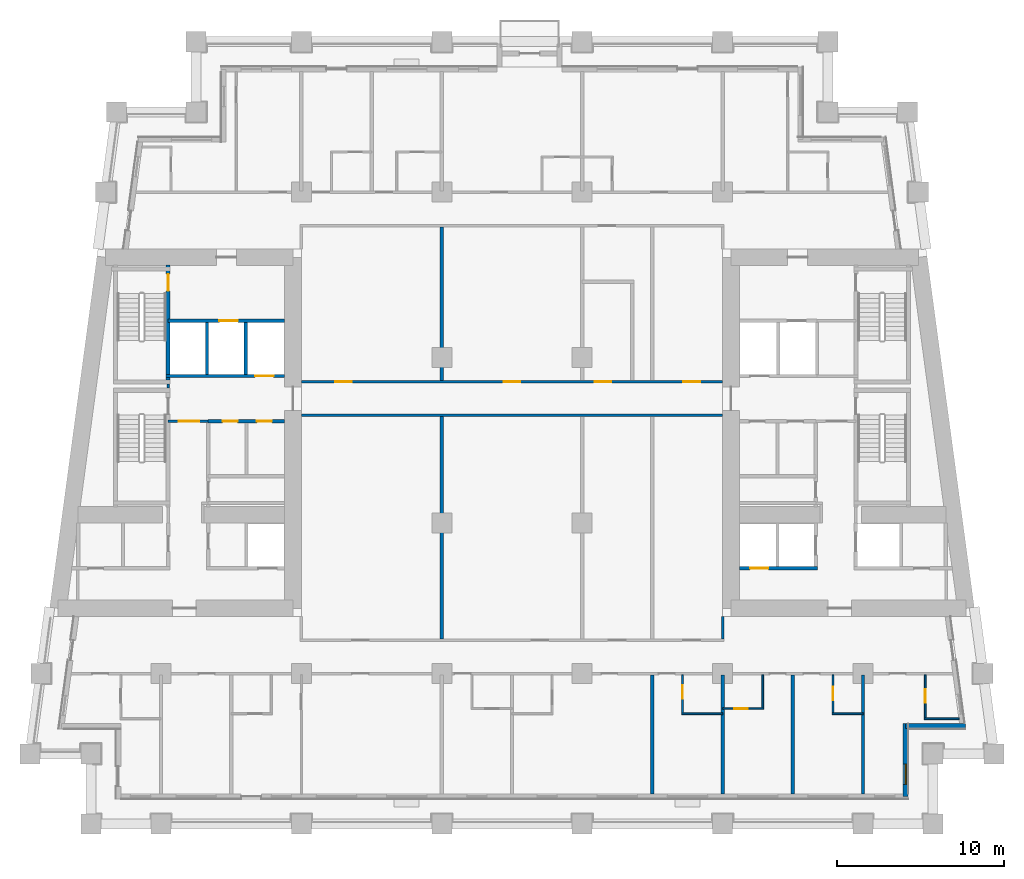
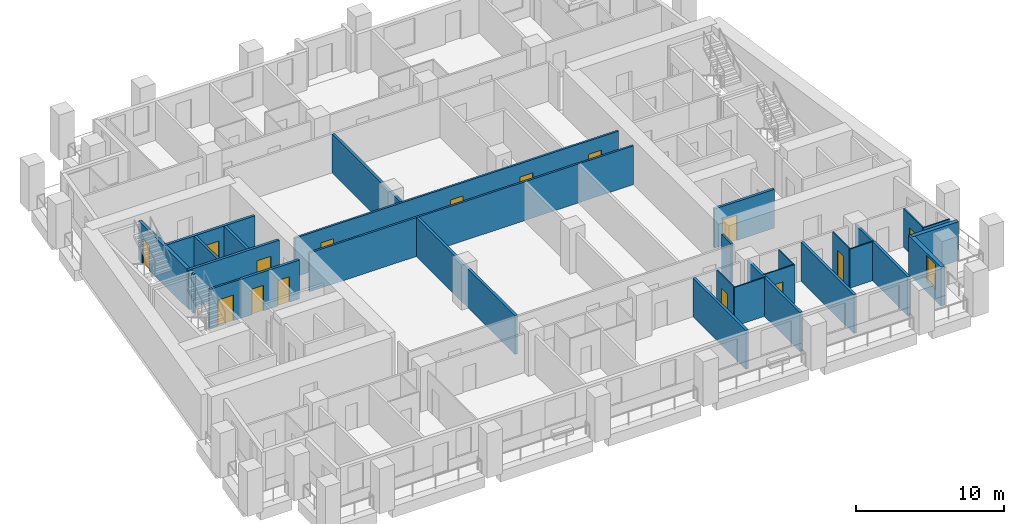
# One storey, part 4 of 13: 28 walls, 15 doors, 1 window, 16 openings.
"""IFC4 building model written with IfcOpenShell, lengths in metres."""

from ifc_helpers import new_model, si_unit, direction, frame, frame_2d, origin, place, context, subcontext, project, spatial, rectangle, extrude, material, layer, layer_set, type_object, element, fill, save


model = new_model("IFC4")

# Units and contexts
model_context = context("Model", 3, precision=1e-05, world=origin(), true_north=direction((0.0, 1.0)))
body_context = subcontext(model_context, "Body", "Model", "MODEL_VIEW")
ifc_project = project(units=[si_unit("LENGTHUNIT", "METRE"), si_unit("AREAUNIT", "SQUARE_METRE"), si_unit("VOLUMEUNIT", "CUBIC_METRE"), si_unit("PLANEANGLEUNIT", "RADIAN"), si_unit("MASSUNIT", "GRAM", prefix="KILO")], contexts=[model_context])

# Site, building, storey
site_placement = place(None, origin())
site = spatial("IfcSite", under=ifc_project, at=site_placement, CompositionType="ELEMENT")
building_placement = place(site_placement, origin())
building = spatial("IfcBuilding", under=site, at=building_placement, Name="Candeia Pilgrim Tower and Theatre", CompositionType="ELEMENT")
storey_placement = place(building_placement, frame((0.0, 0.0, 131.699951171875)))
storey = spatial("IfcBuildingStorey", under=building, at=storey_placement, Name="L31", CompositionType="ELEMENT", Elevation=131.699951171875)

# Wall, opening, window
ifc_material_1 = material(Name="Ceramic block masonry", Category="masonry")
ifc_layer_1 = layer(ifc_material_1, 0.300048828125)
ifc_layer_set_1 = layer_set([ifc_layer_1], Name="EW1 glazing-line wall 300")
wall_type_1 = type_object("IfcWallType", Name="EW1 glazing-line wall 300", PredefinedType="SOLIDWALL", material=ifc_layer_set_1)
wall_1_placement = place(storey_placement, frame((136.949951171875, 99.64990234375, 0.0), z_axis=(0.0, 0.0, 1.0), x_axis=(0.0, 1.0, 0.0)))
wall_1 = element("IfcWall", 1, at=wall_1_placement, inside=storey, type_object=wall_type_1, Name="External wall L31-1.0", PredefinedType="SOLIDWALL", context=body_context, shape_type="SweptSolid", body=[
    extrude(rectangle(XDim=4.35009765625, YDim=0.300048828125, at=frame_2d((2.175048828125, 0.0))), origin(), (0.0, 0.0, 1.0), 3.199951171875),
])
opening_1_placement = place(wall_1_placement, frame((0.72509765625, 0.0, 0.89990234375)))
opening_1 = element("IfcOpeningElement", 2, at=opening_1_placement, cuts=wall_1, Name="Opening W-B", PredefinedType="OPENING", context=body_context, shape_type="SweptSolid", body=[
    extrude(rectangle(XDim=1.199951171875, YDim=2.10009765625, at=frame_2d((0.60009765625, 1.050048828125))), frame((0.0, 0.16015625, 0.0), z_axis=(0.0, -1.0, 0.0), x_axis=(1.0, 0.0, 0.0)), (0.0, 0.0, 1.0), 0.320068359375),
])
ifc_material_2 = material(Name="Aluminium framed double glazing", Category="aluminium")
window_type = type_object("IfcWindowType", Name="W-B window 1200x2100", PartitioningType="SINGLE_PANEL", PredefinedType="WINDOW", material=ifc_material_2)
window_placement = place(opening_1_placement, origin())
window = element("IfcWindow", 3, at=window_placement, inside=storey, type_object=window_type, Name="Window W-B L31", OverallHeight=2.10009765625, OverallWidth=1.199951171875, PartitioningType="SINGLE_PANEL", PredefinedType="WINDOW", context=body_context, shape_type="SweptSolid", body=[
    extrude(rectangle(XDim=1.199951171875, YDim=2.10009765625, at=frame_2d((0.60009765625, 1.050048828125))), frame((0.0, 0.030029296875, 0.0), z_axis=(0.0, -1.0, 0.0), x_axis=(1.0, 0.0, 0.0)), (0.0, 0.0, 1.0), 0.06005859375),
])
fill(opening_1, window)

# Walls
wall_2_placement = place(storey_placement, frame((136.949951171875, 103.85009765625, 0.0), z_axis=(0.0, 0.0, 1.0), x_axis=(1.0, 0.0, 0.0)))
element("IfcWall", 4, at=wall_2_placement, inside=storey, type_object=wall_type_1, Name="External wall L31-2.0", PredefinedType="SOLIDWALL", context=body_context, shape_type="SweptSolid", body=[
    extrude(rectangle(XDim=3.569091796875, YDim=0.300048828125, at=frame_2d((1.78466796875, 0.0))), origin(), (0.0, 0.0, 1.0), 3.199951171875),
])
ifc_material_3 = material(Name="Gypsum board partition on steel studs", Category="steel")
ifc_layer_2 = layer(ifc_material_3, 0.10009765625)
ifc_layer_set_2 = layer_set([ifc_layer_2], Name="PW-100 room partition")
wall_type_2 = type_object("IfcWallType", Name="PW-100 room partition", PredefinedType="PARTITIONING", material=ifc_layer_set_2)
wall_3_placement = place(storey_placement, frame((138.070068359375, 104.300048828125, 0.0), z_axis=(0.0, 0.0, 1.0), x_axis=(1.0, 0.0, 0.0)))
element("IfcWall", 5, at=wall_3_placement, inside=storey, type_object=wall_type_2, Name="Room partition L31-002", PredefinedType="PARTITIONING", context=body_context, shape_type="SweptSolid", body=[
    extrude(rectangle(XDim=2.07568359375, YDim=0.10009765625, at=frame_2d((1.037841796875, 0.0))), origin(), (0.0, 0.0, 1.0), 3.199951171875),
])
wall_4_placement = place(storey_placement, frame((123.550048828125, 104.60009765625, 0.0), z_axis=(0.0, 0.0, 1.0), x_axis=(1.0, 0.0, 0.0)))
element("IfcWall", 6, at=wall_4_placement, inside=storey, type_object=wall_type_2, Name="Room partition L31-005", PredefinedType="PARTITIONING", context=body_context, shape_type="SweptSolid", body=[
    extrude(rectangle(XDim=2.449951171875, YDim=0.10009765625, at=frame_2d((1.22509765625, 0.0))), origin(), (0.0, 0.0, 1.0), 3.199951171875),
])
wall_5_placement = place(storey_placement, frame((132.550048828125, 104.60009765625, 0.0), z_axis=(0.0, 0.0, 1.0), x_axis=(1.0, 0.0, 0.0)))
element("IfcWall", 7, at=wall_5_placement, inside=storey, type_object=wall_type_2, Name="Room partition L31-006", PredefinedType="PARTITIONING", context=body_context, shape_type="SweptSolid", body=[
    extrude(rectangle(XDim=1.849853515625, YDim=0.10009765625, at=frame_2d((0.9248046875, 0.0))), origin(), (0.0, 0.0, 1.0), 3.199951171875),
])

# Wall, opening, door
wall_6_placement = place(storey_placement, frame((126.0, 104.89990234375, 0.0), z_axis=(0.0, 0.0, 1.0), x_axis=(1.0, 0.0, 0.0)))
wall_6 = element("IfcWall", 8, at=wall_6_placement, inside=storey, type_object=wall_type_2, Name="Room partition L31-008", PredefinedType="PARTITIONING", context=body_context, shape_type="SweptSolid", body=[
    extrude(rectangle(XDim=2.449951171875, YDim=0.10009765625, at=frame_2d((1.22509765625, 0.0))), origin(), (0.0, 0.0, 1.0), 3.199951171875),
])
opening_2_placement = place(wall_6_placement, frame((0.7099609375, 0.0, 0.0)))
opening_2 = element("IfcOpeningElement", 9, at=opening_2_placement, cuts=wall_6, Name="Opening L31-D030", PredefinedType="OPENING", context=body_context, shape_type="SweptSolid", body=[
    extrude(rectangle(XDim=0.800048828125, YDim=2.10009765625, at=frame_2d((0.39990234375, 1.050048828125))), frame((0.0, 0.06005859375, 0.0), z_axis=(0.0, -1.0, 0.0), x_axis=(1.0, 0.0, 0.0)), (0.0, 0.0, 1.0), 0.1201171875),
])
ifc_material_4 = material(Name="Timber door leaf", Category="wood")
door_type_1 = type_object("IfcDoorType", Name="D-800", OperationType="NOTDEFINED", PredefinedType="DOOR", material=ifc_material_4)
door_1_placement = place(opening_2_placement, origin())
door_1 = element("IfcDoor", 10, at=door_1_placement, inside=storey, type_object=door_type_1, Name="Door L31-D030", OperationType="SINGLE_SWING_LEFT", OverallHeight=2.10009765625, OverallWidth=0.800048828125, PredefinedType="DOOR", context=body_context, shape_type="SweptSolid", body=[
    extrude(rectangle(XDim=0.800048828125, YDim=2.10009765625, at=frame_2d((0.39990234375, 1.050048828125))), frame((0.0, 0.02490234375, 0.0), z_axis=(0.0, -1.0, 0.0), x_axis=(1.0, 0.0, 0.0)), (0.0, 0.0, 1.0), 0.050048828125),
])
fill(opening_2, door_1)

wall_7_placement = place(storey_placement, frame((123.60009765625, 104.64990234375, 0.0), z_axis=(0.0, 0.0, 1.0), x_axis=(0.0, 1.0, 0.0)))
wall_7 = element("IfcWall", 11, at=wall_7_placement, inside=storey, type_object=wall_type_2, Name="Room partition L31-095", PredefinedType="PARTITIONING", context=body_context, shape_type="SweptSolid", body=[
    extrude(rectangle(XDim=2.275146484375, YDim=0.10009765625, at=frame_2d((1.1376953125, 0.0))), origin(), (0.0, 0.0, 1.0), 3.199951171875),
])
opening_3_placement = place(wall_7_placement, frame((0.840087890625, 0.0, 0.0)))
opening_3 = element("IfcOpeningElement", 12, at=opening_3_placement, cuts=wall_7, Name="Opening L31-D028", PredefinedType="OPENING", context=body_context, shape_type="SweptSolid", body=[
    extrude(rectangle(XDim=0.800048828125, YDim=2.10009765625, at=frame_2d((0.39990234375, 1.050048828125))), frame((0.0, 0.06005859375, 0.0), z_axis=(0.0, -1.0, 0.0), x_axis=(1.0, 0.0, 0.0)), (0.0, 0.0, 1.0), 0.1201171875),
])
door_2_placement = place(opening_3_placement, origin())
door_2 = element("IfcDoor", 13, at=door_2_placement, inside=storey, type_object=door_type_1, Name="Door L31-D028", OperationType="SINGLE_SWING_LEFT", OverallHeight=2.10009765625, OverallWidth=0.800048828125, PredefinedType="DOOR", context=body_context, shape_type="SweptSolid", body=[
    extrude(rectangle(XDim=0.800048828125, YDim=2.10009765625, at=frame_2d((0.39990234375, 1.050048828125))), frame((0.0, 0.02490234375, 0.0), z_axis=(0.0, -1.0, 0.0), x_axis=(1.0, 0.0, 0.0)), (0.0, 0.0, 1.0), 0.050048828125),
])
fill(opening_3, door_2)

# Wall
wall_8_placement = place(storey_placement, frame((128.39990234375, 104.949951171875, 0.0), z_axis=(0.0, 0.0, 1.0), x_axis=(0.0, 1.0, 0.0)))
element("IfcWall", 14, at=wall_8_placement, inside=storey, type_object=wall_type_2, Name="Room partition L31-100", PredefinedType="PARTITIONING", context=body_context, shape_type="SweptSolid", body=[
    extrude(rectangle(XDim=1.97509765625, YDim=0.10009765625, at=frame_2d((0.987548828125, 0.0))), origin(), (0.0, 0.0, 1.0), 3.199951171875),
])

# Wall, opening, door
wall_9_placement = place(storey_placement, frame((132.60009765625, 104.64990234375, 0.0), z_axis=(0.0, 0.0, 1.0), x_axis=(0.0, 1.0, 0.0)))
wall_9 = element("IfcWall", 15, at=wall_9_placement, inside=storey, type_object=wall_type_2, Name="Room partition L31-111", PredefinedType="PARTITIONING", context=body_context, shape_type="SweptSolid", body=[
    extrude(rectangle(XDim=2.275146484375, YDim=0.10009765625, at=frame_2d((1.1376953125, 0.0))), origin(), (0.0, 0.0, 1.0), 3.199951171875),
])
opening_4_placement = place(wall_9_placement, frame((0.75, 0.0, 0.0)))
opening_4 = element("IfcOpeningElement", 16, at=opening_4_placement, cuts=wall_9, Name="Opening L31-D032", PredefinedType="OPENING", context=body_context, shape_type="SweptSolid", body=[
    extrude(rectangle(XDim=0.800048828125, YDim=2.10009765625, at=frame_2d((0.39990234375, 1.050048828125))), frame((0.0, 0.06005859375, 0.0), z_axis=(0.0, -1.0, 0.0), x_axis=(1.0, 0.0, 0.0)), (0.0, 0.0, 1.0), 0.1201171875),
])
door_3_placement = place(opening_4_placement, origin())
door_3 = element("IfcDoor", 17, at=door_3_placement, inside=storey, type_object=door_type_1, Name="Door L31-D032", OperationType="SINGLE_SWING_LEFT", OverallHeight=2.10009765625, OverallWidth=0.800048828125, PredefinedType="DOOR", context=body_context, shape_type="SweptSolid", body=[
    extrude(rectangle(XDim=0.800048828125, YDim=2.10009765625, at=frame_2d((0.39990234375, 1.050048828125))), frame((0.0, 0.02490234375, 0.0), z_axis=(0.0, -1.0, 0.0), x_axis=(1.0, 0.0, 0.0)), (0.0, 0.0, 1.0), 0.050048828125),
])
fill(opening_4, door_3)

wall_10_placement = place(storey_placement, frame((138.1201171875, 104.35009765625, 0.0), z_axis=(0.0, 0.0, 1.0), x_axis=(0.0, 1.0, 0.0)))
wall_10 = element("IfcWall", 18, at=wall_10_placement, inside=storey, type_object=wall_type_2, Name="Room partition L31-121", PredefinedType="PARTITIONING", context=body_context, shape_type="SweptSolid", body=[
    extrude(rectangle(XDim=2.574951171875, YDim=0.10009765625, at=frame_2d((1.28759765625, 0.0))), origin(), (0.0, 0.0, 1.0), 3.199951171875),
])
opening_5_placement = place(wall_10_placement, frame((0.89990234375, 0.0, 0.0)))
opening_5 = element("IfcOpeningElement", 19, at=opening_5_placement, cuts=wall_10, Name="Opening L31-D034", PredefinedType="OPENING", context=body_context, shape_type="SweptSolid", body=[
    extrude(rectangle(XDim=0.800048828125, YDim=2.10009765625, at=frame_2d((0.39990234375, 1.050048828125))), frame((0.0, 0.06005859375, 0.0), z_axis=(0.0, -1.0, 0.0), x_axis=(1.0, 0.0, 0.0)), (0.0, 0.0, 1.0), 0.1201171875),
])
door_4_placement = place(opening_5_placement, origin())
door_4 = element("IfcDoor", 20, at=door_4_placement, inside=storey, type_object=door_type_1, Name="Door L31-D034", OperationType="SINGLE_SWING_LEFT", OverallHeight=2.10009765625, OverallWidth=0.800048828125, PredefinedType="DOOR", context=body_context, shape_type="SweptSolid", body=[
    extrude(rectangle(XDim=0.800048828125, YDim=2.10009765625, at=frame_2d((0.39990234375, 1.050048828125))), frame((0.0, 0.02490234375, 0.0), z_axis=(0.0, -1.0, 0.0), x_axis=(1.0, 0.0, 0.0)), (0.0, 0.0, 1.0), 0.050048828125),
])
fill(opening_5, door_4)

ifc_layer_3 = layer(ifc_material_3, 0.14990234375)
ifc_layer_set_3 = layer_set([ifc_layer_3], Name="PW-150 lobby wall")
wall_type_3 = type_object("IfcWallType", Name="PW-150 lobby wall", PredefinedType="PARTITIONING", material=ifc_layer_set_3)
wall_11_placement = place(storey_placement, frame((92.826904296875, 122.10009765625, 0.0), z_axis=(0.0, 0.0, 1.0), x_axis=(1.0, 0.0, 0.0)))
wall_11 = element("IfcWall", 21, at=wall_11_placement, inside=storey, type_object=wall_type_3, Name="Lobby wall L31-025", PredefinedType="PARTITIONING", context=body_context, shape_type="SweptSolid", body=[
    extrude(rectangle(XDim=2.400146484375, YDim=0.14990234375, at=frame_2d((1.2001953125, 0.0))), origin(), (0.0, 0.0, 1.0), 3.199951171875),
])
opening_6_placement = place(wall_11_placement, frame((0.64990234375, 0.0, 0.0)))
opening_6 = element("IfcOpeningElement", 22, at=opening_6_placement, cuts=wall_11, Name="Opening L31-D001", PredefinedType="OPENING", context=body_context, shape_type="SweptSolid", body=[
    extrude(rectangle(XDim=1.199951171875, YDim=2.10009765625, at=frame_2d((0.60009765625, 1.050048828125))), frame((0.0, 0.0849609375, 0.0), z_axis=(0.0, -1.0, 0.0), x_axis=(1.0, 0.0, 0.0)), (0.0, 0.0, 1.0), 0.169921875),
])
ifc_material_5 = material(Name="Steel fire door set", Category="steel")
door_type_2 = type_object("IfcDoorType", Name="D-1200-FD60", OperationType="NOTDEFINED", PredefinedType="DOOR", material=ifc_material_5)
door_5_placement = place(opening_6_placement, origin())
door_5 = element("IfcDoor", 23, at=door_5_placement, inside=storey, type_object=door_type_2, Name="Door L31-D001", OperationType="SINGLE_SWING_RIGHT", OverallHeight=2.10009765625, OverallWidth=1.199951171875, PredefinedType="DOOR", context=body_context, shape_type="SweptSolid", body=[
    extrude(rectangle(XDim=1.199951171875, YDim=2.10009765625, at=frame_2d((0.60009765625, 1.050048828125))), frame((0.0, 0.02490234375, 0.0), z_axis=(0.0, -1.0, 0.0), x_axis=(1.0, 0.0, 0.0)), (0.0, 0.0, 1.0), 0.050048828125),
])
fill(opening_6, door_5)

# Walls
wall_12_placement = place(storey_placement, frame((92.826904296875, 124.074951171875, 0.0), z_axis=(0.0, 0.0, 1.0), x_axis=(0.0, 1.0, 0.0)))
element("IfcWall", 24, at=wall_12_placement, inside=storey, type_object=wall_type_3, Name="Lobby wall L31-058", PredefinedType="PARTITIONING", context=body_context, shape_type="SweptSolid", body=[
    extrude(rectangle(XDim=0.25, YDim=0.14990234375, at=frame_2d((0.125, 0.0))), origin(), (0.0, 0.0, 1.0), 3.199951171875),
])
ifc_layer_4 = layer(ifc_material_3, 0.14990234375)
ifc_layer_set_4 = layer_set([ifc_layer_4], Name="PW-150 unit wall")
wall_type_4 = type_object("IfcWallType", Name="PW-150 unit wall", PredefinedType="PARTITIONING", material=ifc_layer_set_4)
wall_13_placement = place(storey_placement, frame((100.800048828125, 122.449951171875, 0.0), z_axis=(0.0, 0.0, 1.0), x_axis=(1.0, 0.0, 0.0)))
element("IfcWall", 25, at=wall_13_placement, inside=storey, type_object=wall_type_4, Name="Unit wall L31-027", PredefinedType="PARTITIONING", context=body_context, shape_type="SweptSolid", body=[
    extrude(rectangle(XDim=25.199951171875, YDim=0.14990234375, at=frame_2d((12.60009765625, 0.0))), origin(), (0.0, 0.0, 1.0), 3.199951171875),
])

# Wall, openings, doors
wall_14_placement = place(storey_placement, frame((100.800048828125, 124.449951171875, 0.0), z_axis=(0.0, 0.0, 1.0), x_axis=(1.0, 0.0, 0.0)))
wall_14 = element("IfcWall", 26, at=wall_14_placement, inside=storey, type_object=wall_type_4, Name="Unit wall L31-032", PredefinedType="PARTITIONING", context=body_context, shape_type="SweptSolid", body=[
    extrude(rectangle(XDim=25.199951171875, YDim=0.14990234375, at=frame_2d((12.60009765625, 0.0))), origin(), (0.0, 0.0, 1.0), 3.199951171875),
])
opening_7_placement = place(wall_14_placement, frame((2.02490234375, 0.0, 0.0)))
opening_7 = element("IfcOpeningElement", 27, at=opening_7_placement, cuts=wall_14, Name="Opening L31-D054", PredefinedType="OPENING", context=body_context, shape_type="SweptSolid", body=[
    extrude(rectangle(XDim=1.0, YDim=2.10009765625, at=frame_2d((0.5, 1.050048828125))), frame((0.0, 0.0849609375, 0.0), z_axis=(0.0, -1.0, 0.0), x_axis=(1.0, 0.0, 0.0)), (0.0, 0.0, 1.0), 0.169921875),
])
opening_8_placement = place(wall_14_placement, frame((12.10009765625, 0.0, 0.0)))
opening_8 = element("IfcOpeningElement", 28, at=opening_8_placement, cuts=wall_14, Name="Opening L31-D055", PredefinedType="OPENING", context=body_context, shape_type="SweptSolid", body=[
    extrude(rectangle(XDim=1.0, YDim=2.10009765625, at=frame_2d((0.5, 1.050048828125))), frame((0.0, 0.0849609375, 0.0), z_axis=(0.0, -1.0, 0.0), x_axis=(1.0, 0.0, 0.0)), (0.0, 0.0, 1.0), 0.169921875),
])
opening_9_placement = place(wall_14_placement, frame((17.5400390625, 0.0, 0.0)))
opening_9 = element("IfcOpeningElement", 29, at=opening_9_placement, cuts=wall_14, Name="Opening L31-D056", PredefinedType="OPENING", context=body_context, shape_type="SweptSolid", body=[
    extrude(rectangle(XDim=1.0, YDim=2.10009765625, at=frame_2d((0.5, 1.050048828125))), frame((0.0, 0.0849609375, 0.0), z_axis=(0.0, -1.0, 0.0), x_axis=(1.0, 0.0, 0.0)), (0.0, 0.0, 1.0), 0.169921875),
])
opening_10_placement = place(wall_14_placement, frame((22.85009765625, 0.0, 0.0)))
opening_10 = element("IfcOpeningElement", 30, at=opening_10_placement, cuts=wall_14, Name="Opening L31-D057", PredefinedType="OPENING", context=body_context, shape_type="SweptSolid", body=[
    extrude(rectangle(XDim=1.0, YDim=2.10009765625, at=frame_2d((0.5, 1.050048828125))), frame((0.0, 0.0849609375, 0.0), z_axis=(0.0, -1.0, 0.0), x_axis=(1.0, 0.0, 0.0)), (0.0, 0.0, 1.0), 0.169921875),
])
door_type_3 = type_object("IfcDoorType", Name="D-1000-FD30S", OperationType="NOTDEFINED", PredefinedType="DOOR", material=ifc_material_5)
door_6_placement = place(opening_7_placement, origin())
door_6 = element("IfcDoor", 31, at=door_6_placement, inside=storey, type_object=door_type_3, Name="Door L31-D054", OperationType="SINGLE_SWING_LEFT", OverallHeight=2.10009765625, OverallWidth=1.0, PredefinedType="DOOR", context=body_context, shape_type="SweptSolid", body=[
    extrude(rectangle(XDim=1.0, YDim=2.10009765625, at=frame_2d((0.5, 1.050048828125))), frame((0.0, 0.02490234375, 0.0), z_axis=(0.0, -1.0, 0.0), x_axis=(1.0, 0.0, 0.0)), (0.0, 0.0, 1.0), 0.050048828125),
])
fill(opening_7, door_6)
door_7_placement = place(opening_8_placement, origin())
door_7 = element("IfcDoor", 32, at=door_7_placement, inside=storey, type_object=door_type_3, Name="Door L31-D055", OperationType="SINGLE_SWING_RIGHT", OverallHeight=2.10009765625, OverallWidth=1.0, PredefinedType="DOOR", context=body_context, shape_type="SweptSolid", body=[
    extrude(rectangle(XDim=1.0, YDim=2.10009765625, at=frame_2d((0.5, 1.050048828125))), frame((0.0, 0.02490234375, 0.0), z_axis=(0.0, -1.0, 0.0), x_axis=(1.0, 0.0, 0.0)), (0.0, 0.0, 1.0), 0.050048828125),
])
fill(opening_8, door_7)
door_8_placement = place(opening_9_placement, origin())
door_8 = element("IfcDoor", 33, at=door_8_placement, inside=storey, type_object=door_type_3, Name="Door L31-D056", OperationType="SINGLE_SWING_LEFT", OverallHeight=2.10009765625, OverallWidth=1.0, PredefinedType="DOOR", context=body_context, shape_type="SweptSolid", body=[
    extrude(rectangle(XDim=1.0, YDim=2.10009765625, at=frame_2d((0.5, 1.050048828125))), frame((0.0, 0.02490234375, 0.0), z_axis=(0.0, -1.0, 0.0), x_axis=(1.0, 0.0, 0.0)), (0.0, 0.0, 1.0), 0.050048828125),
])
fill(opening_9, door_8)
door_9_placement = place(opening_10_placement, origin())
door_9 = element("IfcDoor", 34, at=door_9_placement, inside=storey, type_object=door_type_3, Name="Door L31-D057", OperationType="SINGLE_SWING_RIGHT", OverallHeight=2.10009765625, OverallWidth=1.0, PredefinedType="DOOR", context=body_context, shape_type="SweptSolid", body=[
    extrude(rectangle(XDim=1.0, YDim=2.10009765625, at=frame_2d((0.5, 1.050048828125))), frame((0.0, 0.02490234375, 0.0), z_axis=(0.0, -1.0, 0.0), x_axis=(1.0, 0.0, 0.0)), (0.0, 0.0, 1.0), 0.050048828125),
])
fill(opening_10, door_9)

# Walls
wall_15_placement = place(storey_placement, frame((126.0, 109.074951171875, 0.0), z_axis=(0.0, 0.0, 1.0), x_axis=(0.0, 1.0, 0.0)))
element("IfcWall", 35, at=wall_15_placement, inside=storey, type_object=wall_type_4, Name="Unit wall L31-098", PredefinedType="PARTITIONING", context=body_context, shape_type="SweptSolid", body=[
    extrude(rectangle(XDim=1.324951171875, YDim=0.14990234375, at=frame_2d((0.66259765625, 0.0))), origin(), (0.0, 0.0, 1.0), 3.199951171875),
])
ifc_layer_5 = layer(ifc_material_3, 0.199951171875)
ifc_layer_set_5 = layer_set([ifc_layer_5], Name="PW-200 party wall")
wall_type_5 = type_object("IfcWallType", Name="PW-200 party wall", PredefinedType="PARTITIONING", material=ifc_layer_set_5)
wall_16_placement = place(storey_placement, frame((109.199951171875, 109.074951171875, 0.0), z_axis=(0.0, 0.0, 1.0), x_axis=(0.0, 1.0, 0.0)))
element("IfcWall", 36, at=wall_16_placement, inside=storey, type_object=wall_type_5, Name="Party wall L31-080", PredefinedType="PARTITIONING", context=body_context, shape_type="SweptSolid", body=[
    extrude(rectangle(XDim=13.300048828125, YDim=0.199951171875, at=frame_2d((6.64990234375, 0.0))), origin(), (0.0, 0.0, 1.0), 3.199951171875),
])
wall_17_placement = place(storey_placement, frame((109.199951171875, 124.52490234375, 0.0), z_axis=(0.0, 0.0, 1.0), x_axis=(0.0, 1.0, 0.0)))
element("IfcWall", 37, at=wall_17_placement, inside=storey, type_object=wall_type_5, Name="Party wall L31-081", PredefinedType="PARTITIONING", context=body_context, shape_type="SweptSolid", body=[
    extrude(rectangle(XDim=9.2001953125, YDim=0.199951171875, at=frame_2d((4.60009765625, 0.0))), origin(), (0.0, 0.0, 1.0), 3.199951171875),
])
for number, where, z_axis, x_axis, name in (
    (38, (121.800048828125, 99.7900390625, 0.0), (0.0, 0.0, 1.0), (0.0, 1.0, 0.0), "Party wall L31-092"),
    (39, (126.0, 99.7900390625, 0.0), (0.0, 0.0, 1.0), (0.0, 1.0, 0.0), "Party wall L31-096"),
    (40, (130.199951171875, 99.7900390625, 0.0), (0.0, 0.0, 1.0), (0.0, 1.0, 0.0), "Party wall L31-105"),
    (41, (134.39990234375, 99.7900390625, 0.0), (0.0, 0.0, 1.0), (0.0, 1.0, 0.0), "Party wall L31-117"),
):
    element("IfcWall", number, at=place(storey_placement, frame(where, z_axis=z_axis, x_axis=x_axis)), inside=storey, type_object=wall_type_5, Name=name, PredefinedType="PARTITIONING", context=body_context, shape_type="SweptSolid", body=[
        extrude(rectangle(XDim=7.135009765625, YDim=0.199951171875, at=frame_2d((3.5673828125, 0.0))), origin(), (0.0, 0.0, 1.0), 3.199951171875),
    ])

# Wall, opening, door
ifc_material_6 = material(Name="Concrete C40/50", Category="concrete")
ifc_layer_6 = layer(ifc_material_6, 0.199951171875)
ifc_layer_set_6 = layer_set([ifc_layer_6], Name="SW-200 shaft wall")
wall_type_6 = type_object("IfcWallType", Name="SW-200 shaft wall", PredefinedType="PARTITIONING", material=ifc_layer_set_6)
wall_18_placement = place(storey_placement, frame((127.0, 113.300048828125, 0.0), z_axis=(0.0, 0.0, 1.0), x_axis=(1.0, 0.0, 0.0)))
wall_18 = element("IfcWall", 42, at=wall_18_placement, inside=storey, type_object=wall_type_6, Name="Shaft wall L31-013", PredefinedType="PARTITIONING", context=body_context, shape_type="SweptSolid", body=[
    extrude(rectangle(XDim=4.673095703125, YDim=0.199951171875, at=frame_2d((2.33642578125, 0.0))), origin(), (0.0, 0.0, 1.0), 3.199951171875),
])
opening_11_placement = place(wall_18_placement, frame((0.64208984375, 0.0, 0.0)))
opening_11 = element("IfcOpeningElement", 43, at=opening_11_placement, cuts=wall_18, Name="Opening L31-LD08", PredefinedType="OPENING", context=body_context, shape_type="SweptSolid", body=[
    extrude(rectangle(XDim=1.10009765625, YDim=2.10009765625, at=frame_2d((0.550048828125, 1.050048828125))), frame((0.0, 0.10986328125, 0.0), z_axis=(0.0, -1.0, 0.0), x_axis=(1.0, 0.0, 0.0)), (0.0, 0.0, 1.0), 0.219970703125),
])
ifc_material_7 = material(Name="Glazed aluminium landing door", Category="aluminium")
door_type_4 = type_object("IfcDoorType", Name="LD-1100-EI120", OperationType="SLIDING_TO_LEFT", PredefinedType="DOOR", material=ifc_material_7)
door_10_placement = place(opening_11_placement, origin())
door_10 = element("IfcDoor", 44, at=door_10_placement, inside=storey, type_object=door_type_4, Name="Landing door 08 L31", OperationType="SLIDING_TO_LEFT", OverallHeight=2.10009765625, OverallWidth=1.10009765625, PredefinedType="DOOR", context=body_context, shape_type="SweptSolid", body=[
    extrude(rectangle(XDim=1.10009765625, YDim=2.10009765625, at=frame_2d((0.550048828125, 1.050048828125))), frame((0.0, 0.02490234375, 0.0), z_axis=(0.0, -1.0, 0.0), x_axis=(1.0, 0.0, 0.0)), (0.0, 0.0, 1.0), 0.050048828125),
])
fill(opening_11, door_10)

# Wall, openings, doors
wall_19_placement = place(storey_placement, frame((95.22705078125, 122.10009765625, 0.0), z_axis=(0.0, 0.0, 1.0), x_axis=(1.0, 0.0, 0.0)))
wall_19 = element("IfcWall", 45, at=wall_19_placement, inside=storey, type_object=wall_type_6, Name="Shaft wall L31-023", PredefinedType="PARTITIONING", context=body_context, shape_type="SweptSolid", body=[
    extrude(rectangle(XDim=4.572998046875, YDim=0.199951171875, at=frame_2d((2.28662109375, 0.0))), origin(), (0.0, 0.0, 1.0), 3.199951171875),
])
opening_12_placement = place(wall_19_placement, frame((0.864990234375, 0.0, 0.0)))
opening_12 = element("IfcOpeningElement", 46, at=opening_12_placement, cuts=wall_19, Name="Opening L31-D002", PredefinedType="OPENING", context=body_context, shape_type="SweptSolid", body=[
    extrude(rectangle(XDim=0.89990234375, YDim=2.10009765625, at=frame_2d((0.449951171875, 1.050048828125))), frame((0.0, 0.10986328125, 0.0), z_axis=(0.0, -1.0, 0.0), x_axis=(1.0, 0.0, 0.0)), (0.0, 0.0, 1.0), 0.219970703125),
])
opening_13_placement = place(wall_19_placement, frame((2.910888671875, 0.0, 0.0)))
opening_13 = element("IfcOpeningElement", 47, at=opening_13_placement, cuts=wall_19, Name="Opening L31-D003", PredefinedType="OPENING", context=body_context, shape_type="SweptSolid", body=[
    extrude(rectangle(XDim=0.89990234375, YDim=2.10009765625, at=frame_2d((0.449951171875, 1.050048828125))), frame((0.0, 0.10986328125, 0.0), z_axis=(0.0, -1.0, 0.0), x_axis=(1.0, 0.0, 0.0)), (0.0, 0.0, 1.0), 0.219970703125),
])
door_type_5 = type_object("IfcDoorType", Name="D-900-FD60", OperationType="NOTDEFINED", PredefinedType="DOOR", material=ifc_material_5)
door_11_placement = place(opening_12_placement, origin())
door_11 = element("IfcDoor", 48, at=door_11_placement, inside=storey, type_object=door_type_5, Name="Door L31-D002", OperationType="SINGLE_SWING_LEFT", OverallHeight=2.10009765625, OverallWidth=0.89990234375, PredefinedType="DOOR", context=body_context, shape_type="SweptSolid", body=[
    extrude(rectangle(XDim=0.89990234375, YDim=2.10009765625, at=frame_2d((0.449951171875, 1.050048828125))), frame((0.0, 0.02490234375, 0.0), z_axis=(0.0, -1.0, 0.0), x_axis=(1.0, 0.0, 0.0)), (0.0, 0.0, 1.0), 0.050048828125),
])
fill(opening_12, door_11)
door_12_placement = place(opening_13_placement, origin())
door_12 = element("IfcDoor", 49, at=door_12_placement, inside=storey, type_object=door_type_5, Name="Door L31-D003", OperationType="SINGLE_SWING_RIGHT", OverallHeight=2.10009765625, OverallWidth=0.89990234375, PredefinedType="DOOR", context=body_context, shape_type="SweptSolid", body=[
    extrude(rectangle(XDim=0.89990234375, YDim=2.10009765625, at=frame_2d((0.449951171875, 1.050048828125))), frame((0.0, 0.02490234375, 0.0), z_axis=(0.0, -1.0, 0.0), x_axis=(1.0, 0.0, 0.0)), (0.0, 0.0, 1.0), 0.050048828125),
])
fill(opening_13, door_12)

# Wall, opening, door
wall_20_placement = place(storey_placement, frame((92.701904296875, 124.800048828125, 0.0), z_axis=(0.0, 0.0, 1.0), x_axis=(1.0, 0.0, 0.0)))
wall_20 = element("IfcWall", 50, at=wall_20_placement, inside=storey, type_object=wall_type_6, Name="Shaft wall L31-033", PredefinedType="PARTITIONING", context=body_context, shape_type="SweptSolid", body=[
    extrude(rectangle(XDim=7.09814453125, YDim=0.199951171875, at=frame_2d((3.549072265625, 0.0))), origin(), (0.0, 0.0, 1.0), 3.199951171875),
])
opening_14_placement = place(wall_20_placement, frame((5.3330078125, 0.0, 0.0)))
opening_14 = element("IfcOpeningElement", 51, at=opening_14_placement, cuts=wall_20, Name="Opening L31-LD02", PredefinedType="OPENING", context=body_context, shape_type="SweptSolid", body=[
    extrude(rectangle(XDim=1.10009765625, YDim=2.10009765625, at=frame_2d((0.550048828125, 1.050048828125))), frame((0.0, 0.10986328125, 0.0), z_axis=(0.0, -1.0, 0.0), x_axis=(1.0, 0.0, 0.0)), (0.0, 0.0, 1.0), 0.219970703125),
])
door_13_placement = place(opening_14_placement, origin())
door_13 = element("IfcDoor", 52, at=door_13_placement, inside=storey, type_object=door_type_4, Name="Landing door 02 L31", OperationType="SLIDING_TO_LEFT", OverallHeight=2.10009765625, OverallWidth=1.10009765625, PredefinedType="DOOR", context=body_context, shape_type="SweptSolid", body=[
    extrude(rectangle(XDim=1.10009765625, YDim=2.10009765625, at=frame_2d((0.550048828125, 1.050048828125))), frame((0.0, 0.02490234375, 0.0), z_axis=(0.0, -1.0, 0.0), x_axis=(1.0, 0.0, 0.0)), (0.0, 0.0, 1.0), 0.050048828125),
])
fill(opening_14, door_13)

wall_21_placement = place(storey_placement, frame((92.826904296875, 128.10009765625, 0.0), z_axis=(0.0, 0.0, 1.0), x_axis=(1.0, 0.0, 0.0)))
wall_21 = element("IfcWall", 53, at=wall_21_placement, inside=storey, type_object=wall_type_6, Name="Shaft wall L31-036", PredefinedType="PARTITIONING", context=body_context, shape_type="SweptSolid", body=[
    extrude(rectangle(XDim=6.97314453125, YDim=0.199951171875, at=frame_2d((3.486572265625, 0.0))), origin(), (0.0, 0.0, 1.0), 3.199951171875),
])
opening_15_placement = place(wall_21_placement, frame((3.068115234375, 0.0, 0.0)))
opening_15 = element("IfcOpeningElement", 54, at=opening_15_placement, cuts=wall_21, Name="Opening L31-LD01", PredefinedType="OPENING", context=body_context, shape_type="SweptSolid", body=[
    extrude(rectangle(XDim=1.10009765625, YDim=2.10009765625, at=frame_2d((0.550048828125, 1.050048828125))), frame((0.0, 0.10986328125, 0.0), z_axis=(0.0, -1.0, 0.0), x_axis=(1.0, 0.0, 0.0)), (0.0, 0.0, 1.0), 0.219970703125),
])
door_14_placement = place(opening_15_placement, origin())
door_14 = element("IfcDoor", 55, at=door_14_placement, inside=storey, type_object=door_type_4, Name="Landing door 01 L31", OperationType="SLIDING_TO_LEFT", OverallHeight=2.10009765625, OverallWidth=1.10009765625, PredefinedType="DOOR", context=body_context, shape_type="SweptSolid", body=[
    extrude(rectangle(XDim=1.10009765625, YDim=2.10009765625, at=frame_2d((0.550048828125, 1.050048828125))), frame((0.0, 0.02490234375, 0.0), z_axis=(0.0, -1.0, 0.0), x_axis=(1.0, 0.0, 0.0)), (0.0, 0.0, 1.0), 0.050048828125),
])
fill(opening_15, door_14)

# Walls
for number, where, z_axis, x_axis, name in (
    (56, (95.1513671875, 124.89990234375, 0.0), (0.0, 0.0, 1.0), (0.0, 1.0, 0.0), "Shaft wall L31-063"),
    (57, (97.4755859375, 124.89990234375, 0.0), (0.0, 0.0, 1.0), (0.0, 1.0, 0.0), "Shaft wall L31-068"),
):
    element("IfcWall", number, at=place(storey_placement, frame(where, z_axis=z_axis, x_axis=x_axis)), inside=storey, type_object=wall_type_6, Name=name, PredefinedType="PARTITIONING", context=body_context, shape_type="SweptSolid", body=[
        extrude(rectangle(XDim=3.10009765625, YDim=0.199951171875, at=frame_2d((1.550048828125, 0.0))), origin(), (0.0, 0.0, 1.0), 3.199951171875),
    ])

# Wall, opening, door
ifc_layer_7 = layer(ifc_material_6, 0.25)
ifc_layer_set_7 = layer_set([ifc_layer_7], Name="SW-250 stair wall")
wall_type_7 = type_object("IfcWallType", Name="SW-250 stair wall", PredefinedType="PARTITIONING", material=ifc_layer_set_7)
wall_22_placement = place(storey_placement, frame((92.826904296875, 124.574951171875, 0.0), z_axis=(0.0, 0.0, 1.0), x_axis=(0.0, 1.0, 0.0)))
wall_22 = element("IfcWall", 58, at=wall_22_placement, inside=storey, type_object=wall_type_7, Name="Stair wall L31-060", PredefinedType="PARTITIONING", context=body_context, shape_type="SweptSolid", body=[
    extrude(rectangle(XDim=6.85498046875, YDim=0.25, at=frame_2d((3.427490234375, 0.0))), origin(), (0.0, 0.0, 1.0), 3.199951171875),
])
opening_16_placement = place(wall_22_placement, frame((5.324951171875, 0.0, 0.0)))
opening_16 = element("IfcOpeningElement", 59, at=opening_16_placement, cuts=wall_22, Name="Opening L31-D005", PredefinedType="OPENING", context=body_context, shape_type="SweptSolid", body=[
    extrude(rectangle(XDim=1.0, YDim=2.10009765625, at=frame_2d((0.5, 1.050048828125))), frame((0.0, 0.135009765625, 0.0), z_axis=(0.0, -1.0, 0.0), x_axis=(1.0, 0.0, 0.0)), (0.0, 0.0, 1.0), 0.27001953125),
])
door_type_6 = type_object("IfcDoorType", Name="D-1000-FD60", OperationType="NOTDEFINED", PredefinedType="DOOR", material=ifc_material_5)
door_15_placement = place(opening_16_placement, origin())
door_15 = element("IfcDoor", 60, at=door_15_placement, inside=storey, type_object=door_type_6, Name="Door L31-D005", OperationType="SINGLE_SWING_RIGHT", OverallHeight=2.10009765625, OverallWidth=1.0, PredefinedType="DOOR", context=body_context, shape_type="SweptSolid", body=[
    extrude(rectangle(XDim=1.0, YDim=2.10009765625, at=frame_2d((0.5, 1.050048828125))), frame((0.0, 0.02490234375, 0.0), z_axis=(0.0, -1.0, 0.0), x_axis=(1.0, 0.0, 0.0)), (0.0, 0.0, 1.0), 0.050048828125),
])
fill(opening_16, door_15)

save(model, "model.ifc")
